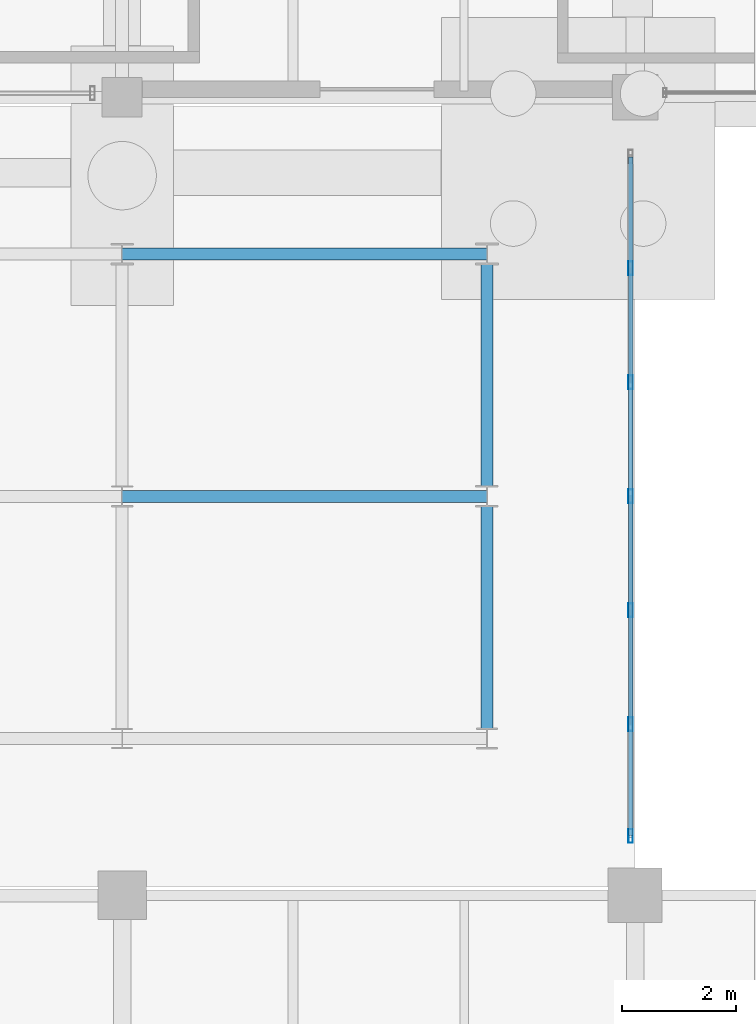
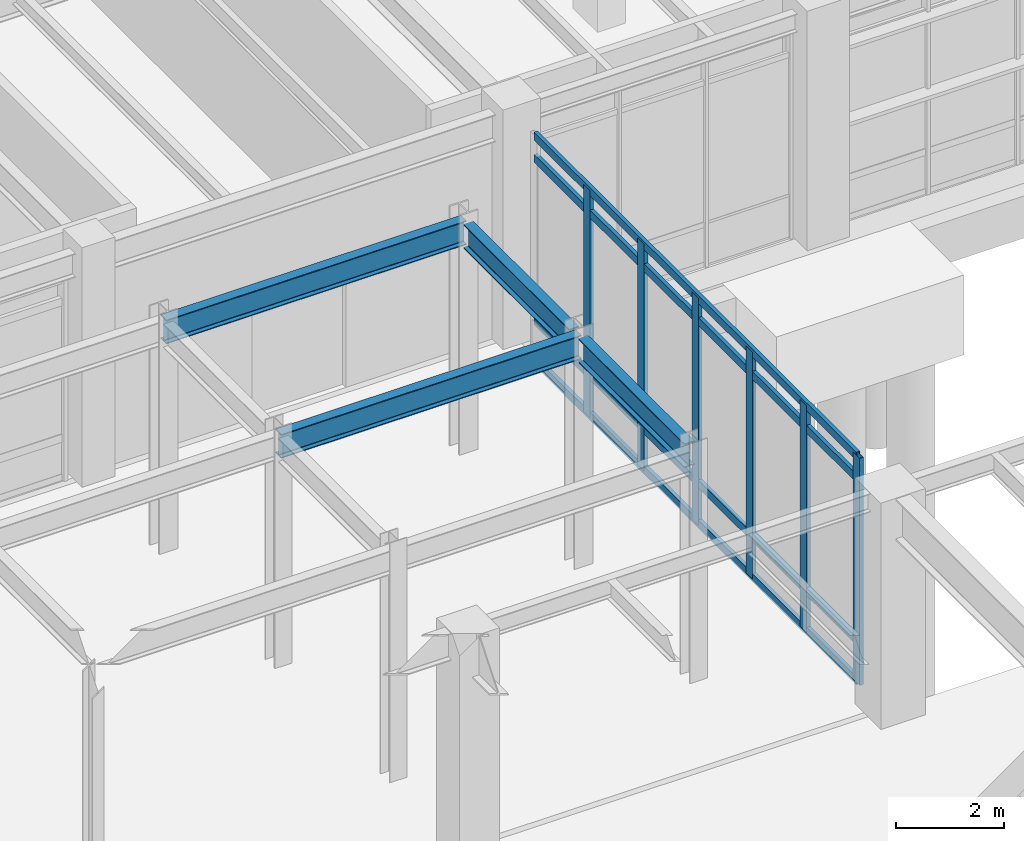
# One storey, part 123 of 203: 10 members, 4 beams, 1 element without a shape of its own.
"""IFC4 building model written with IfcOpenShell, lengths in metres."""

from ifc_helpers import new_model, si_unit, direction, frame, origin, origin_2d, place, context, subcontext, project, spatial, hollow_rectangle, i_section, extrude, material, material_profile, profile_set, type_object, element, aggregate, save


model = new_model("IFC4")

# Units and contexts
model_context = context("Model", 3, precision=1e-05, world=origin(), true_north=direction((0.0, 1.0)))
body_context = subcontext(model_context, "Body", "Model", "MODEL_VIEW")
ifc_project = project(units=[si_unit("LENGTHUNIT", "METRE"), si_unit("AREAUNIT", "SQUARE_METRE"), si_unit("VOLUMEUNIT", "CUBIC_METRE"), si_unit("PLANEANGLEUNIT", "RADIAN"), si_unit("MASSUNIT", "GRAM", prefix="KILO"), si_unit("THERMODYNAMICTEMPERATUREUNIT", "KELVIN"), si_unit("POWERUNIT", "WATT")], contexts=[model_context])

# Site, building, storey
site_placement = place(None, origin())
site = spatial("IfcSite", under=ifc_project, at=site_placement, CompositionType="ELEMENT")
building_placement = place(site_placement, origin())
building = spatial("IfcBuilding", under=site, at=building_placement, Name="Tepalcoro Natatorium and Aquatics Centre", CompositionType="ELEMENT")
storey_placement = place(building_placement, origin())
storey = spatial("IfcBuildingStorey", under=building, at=storey_placement, Name="L00", CompositionType="ELEMENT", Elevation=0.0)

# Beams
ifc_material_1 = material(Name="Steel ASTM A992 Grade 50 (Fy 345 MPa)", Category="steel")
ifc_material_profile_1 = material_profile(ifc_material_1, i_section(OverallWidth=0.2109375, OverallDepth=0.5380859375, WebThickness=0.011962890625, FlangeThickness=0.01904296875, FilletRadius=0.013916015625, at=origin_2d()), Name="W21X73")
ifc_profile_set_1 = profile_set([ifc_material_profile_1], Name="Steel ASTM A992 Grade 50 (Fy 345 MPa)")
beam_type = type_object("IfcBeamType", Name="BM_LINK_LB1", PredefinedType="BEAM", material=ifc_profile_set_1)
for number, where, z_axis, x_axis, name in (
    (1, (116.0, 79.0, 4.89599609375), (1.0, 0.0, 0.0), (0.0, 1.0, 0.0), "Seismic passage link beam LB1 (V6NE L00)"),
    (2, (116.0, 83.25, 4.89599609375), (1.0, 0.0, 0.0), (0.0, 1.0, 0.0), "Seismic passage link beam LB1 (V6NE L00)"),
):
    element("IfcBeam", number, at=place(storey_placement, frame(where, z_axis=z_axis, x_axis=x_axis)), inside=storey, type_object=beam_type, Name=name, PredefinedType="BEAM", context=body_context, shape_type="SweptSolid", body=[
        extrude(i_section(OverallWidth=0.2109375, OverallDepth=0.5380859375, WebThickness=0.011962890625, FlangeThickness=0.01904296875, FilletRadius=0.013916015625, at=origin_2d()), origin(), (0.0, 0.0, 1.0), 6.39990234375),
    ])
beam_1_placement = place(storey_placement, frame((122.39990234375, 74.9130859375, 4.89599609375), z_axis=(0.0, 1.0, 0.0), x_axis=(-1.0, 0.0, 0.0)))
element("IfcBeam", 3, at=beam_1_placement, inside=storey, type_object=beam_type, Name="Seismic passage link beam LB1 (V6NE L00)", PredefinedType="BEAM", context=body_context, shape_type="SweptSolid", body=[
    extrude(i_section(OverallWidth=0.2109375, OverallDepth=0.5380859375, WebThickness=0.011962890625, FlangeThickness=0.01904296875, FilletRadius=0.013916015625, at=origin_2d()), origin(), (0.0, 0.0, 1.0), 3.919921875),
])
beam_2_placement = place(storey_placement, frame((122.39990234375, 79.1669921875, 4.89599609375), z_axis=(0.0, 1.0, 0.0), x_axis=(-1.0, 0.0, 0.0)))
element("IfcBeam", 4, at=beam_2_placement, inside=storey, type_object=beam_type, Name="Seismic passage link beam LB1 (V6NE L00)", PredefinedType="BEAM", context=body_context, shape_type="SweptSolid", body=[
    extrude(i_section(OverallWidth=0.2109375, OverallDepth=0.5380859375, WebThickness=0.011962890625, FlangeThickness=0.01904296875, FilletRadius=0.013916015625, at=origin_2d()), origin(), (0.0, 0.0, 1.0), 3.910888671875),
])

# Curtain wall, members
ifc_material_2 = material(Name="Bronze-Anodised Extruded Aluminium Alloy EN AW-6063 T6", Category="aluminium")
curtain_wall_type = type_object("IfcCurtainWallType", Name="CW_LINK_150", PredefinedType="USERDEFINED", material=ifc_material_2)
curtain_wall_placement = place(storey_placement, origin())
curtain_wall = element("IfcCurtainWall", 5, at=curtain_wall_placement, inside=storey, type_object=curtain_wall_type, Name="East Court Wellness Arcade Glazed Wall E L00", ObjectType="UNITISED STOREFRONT", PredefinedType="USERDEFINED")
ifc_material_profile_2 = material_profile(ifc_material_2, hollow_rectangle(XDim=0.080078125, YDim=0.239990234375, WallThickness=0.0048828125, at=origin_2d()), Name="AL80X240X5")
ifc_profile_set_2 = profile_set([ifc_material_profile_2], Name="Bronze-Anodised Extruded Aluminium Alloy EN AW-6063 T6")
member_type_1 = type_object("IfcMemberType", Name="CW_MUL_80x240", PredefinedType="MULLION", material=ifc_profile_set_2)
member_1_placement = place(storey_placement, frame((124.919921875, 73.0400390625, 0.02001953125), z_axis=(0.0, 0.0, 1.0), x_axis=(1.0, 0.0, 0.0)))
member_1 = element("IfcMember", 6, at=member_1_placement, type_object=member_type_1, Name="CW_LINK_150 Curtain Wall Mullion", PredefinedType="MULLION", context=body_context, shape_type="SweptSolid", body=[
    extrude(hollow_rectangle(XDim=0.080078125, YDim=0.239990234375, WallThickness=0.0048828125, at=origin_2d()), origin(), (0.0, 0.0, 1.0), 5.119873046875),
])
member_2_placement = place(storey_placement, frame((124.919921875, 75.0, 0.02001953125), z_axis=(0.0, 0.0, 1.0), x_axis=(1.0, 0.0, 0.0)))
member_2 = element("IfcMember", 7, at=member_2_placement, type_object=member_type_1, Name="CW_LINK_150 Curtain Wall Mullion", PredefinedType="MULLION", context=body_context, shape_type="SweptSolid", body=[
    extrude(hollow_rectangle(XDim=0.080078125, YDim=0.239990234375, WallThickness=0.0048828125, at=origin_2d()), origin(), (0.0, 0.0, 1.0), 5.119873046875),
])
member_3_placement = place(storey_placement, frame((124.919921875, 77.0, 0.02001953125), z_axis=(0.0, 0.0, 1.0), x_axis=(1.0, 0.0, 0.0)))
member_3 = element("IfcMember", 8, at=member_3_placement, type_object=member_type_1, Name="CW_LINK_150 Curtain Wall Mullion", PredefinedType="MULLION", context=body_context, shape_type="SweptSolid", body=[
    extrude(hollow_rectangle(XDim=0.080078125, YDim=0.239990234375, WallThickness=0.0048828125, at=origin_2d()), origin(), (0.0, 0.0, 1.0), 5.119873046875),
])
member_4_placement = place(storey_placement, frame((124.919921875, 79.0, 0.02001953125), z_axis=(0.0, 0.0, 1.0), x_axis=(1.0, 0.0, 0.0)))
member_4 = element("IfcMember", 9, at=member_4_placement, type_object=member_type_1, Name="CW_LINK_150 Curtain Wall Mullion", PredefinedType="MULLION", context=body_context, shape_type="SweptSolid", body=[
    extrude(hollow_rectangle(XDim=0.080078125, YDim=0.239990234375, WallThickness=0.0048828125, at=origin_2d()), origin(), (0.0, 0.0, 1.0), 5.119873046875),
])
member_5_placement = place(storey_placement, frame((124.919921875, 81.0, 0.02001953125), z_axis=(0.0, 0.0, 1.0), x_axis=(1.0, 0.0, 0.0)))
member_5 = element("IfcMember", 10, at=member_5_placement, type_object=member_type_1, Name="CW_LINK_150 Curtain Wall Mullion", PredefinedType="MULLION", context=body_context, shape_type="SweptSolid", body=[
    extrude(hollow_rectangle(XDim=0.080078125, YDim=0.239990234375, WallThickness=0.0048828125, at=origin_2d()), origin(), (0.0, 0.0, 1.0), 5.119873046875),
])
member_6_placement = place(storey_placement, frame((124.919921875, 83.0, 0.02001953125), z_axis=(0.0, 0.0, 1.0), x_axis=(1.0, 0.0, 0.0)))
member_6 = element("IfcMember", 11, at=member_6_placement, type_object=member_type_1, Name="CW_LINK_150 Curtain Wall Mullion", PredefinedType="MULLION", context=body_context, shape_type="SweptSolid", body=[
    extrude(hollow_rectangle(XDim=0.080078125, YDim=0.239990234375, WallThickness=0.0048828125, at=origin_2d()), origin(), (0.0, 0.0, 1.0), 5.119873046875),
])
ifc_material_profile_3 = material_profile(ifc_material_2, hollow_rectangle(XDim=0.080078125, YDim=0.179931640625, WallThickness=0.0048828125, at=origin_2d()), Name="AL80X180X5")
ifc_profile_set_3 = profile_set([ifc_material_profile_3], Name="Bronze-Anodised Extruded Aluminium Alloy EN AW-6063 T6")
member_type_2 = type_object("IfcMemberType", Name="CW_TRN_80x180", PredefinedType="USERDEFINED", material=ifc_profile_set_3)
member_7_placement = place(storey_placement, frame((124.919921875, 73.050048828125, 0.050048828125), z_axis=(0.0, 1.0, 0.0), x_axis=(-1.0, 0.0, 0.0)))
member_7 = element("IfcMember", 12, at=member_7_placement, type_object=member_type_2, Name="CW_LINK_150 Curtain Wall Transom", ObjectType="TRANSOM", PredefinedType="USERDEFINED", context=body_context, shape_type="SweptSolid", body=[
    extrude(hollow_rectangle(XDim=0.080078125, YDim=0.179931640625, WallThickness=0.0048828125, at=origin_2d()), origin(), (0.0, 0.0, 1.0), 11.89990234375),
])
member_8_placement = place(storey_placement, frame((124.919921875, 73.050048828125, 0.949951171875), z_axis=(0.0, 1.0, 0.0), x_axis=(-1.0, 0.0, 0.0)))
member_8 = element("IfcMember", 13, at=member_8_placement, type_object=member_type_2, Name="CW_LINK_150 Curtain Wall Transom", ObjectType="TRANSOM", PredefinedType="USERDEFINED", context=body_context, shape_type="SweptSolid", body=[
    extrude(hollow_rectangle(XDim=0.080078125, YDim=0.179931640625, WallThickness=0.0048828125, at=origin_2d()), origin(), (0.0, 0.0, 1.0), 11.89990234375),
])
member_9_placement = place(storey_placement, frame((124.919921875, 73.050048828125, 4.610107421875), z_axis=(0.0, 1.0, 0.0), x_axis=(-1.0, 0.0, 0.0)))
member_9 = element("IfcMember", 14, at=member_9_placement, type_object=member_type_2, Name="CW_LINK_150 Curtain Wall Transom", ObjectType="TRANSOM", PredefinedType="USERDEFINED", context=body_context, shape_type="SweptSolid", body=[
    extrude(hollow_rectangle(XDim=0.080078125, YDim=0.179931640625, WallThickness=0.0048828125, at=origin_2d()), origin(), (0.0, 0.0, 1.0), 11.89990234375),
])
member_10_placement = place(storey_placement, frame((124.919921875, 73.050048828125, 5.110107421875), z_axis=(0.0, 1.0, 0.0), x_axis=(-1.0, 0.0, 0.0)))
member_10 = element("IfcMember", 15, at=member_10_placement, type_object=member_type_2, Name="CW_LINK_150 Curtain Wall Transom", ObjectType="TRANSOM", PredefinedType="USERDEFINED", context=body_context, shape_type="SweptSolid", body=[
    extrude(hollow_rectangle(XDim=0.080078125, YDim=0.179931640625, WallThickness=0.0048828125, at=origin_2d()), origin(), (0.0, 0.0, 1.0), 11.89990234375),
])
aggregate(curtain_wall, [member_1, member_2, member_3, member_4, member_5, member_6, member_7, member_8, member_9, member_10])

save(model, "model.ifc")
